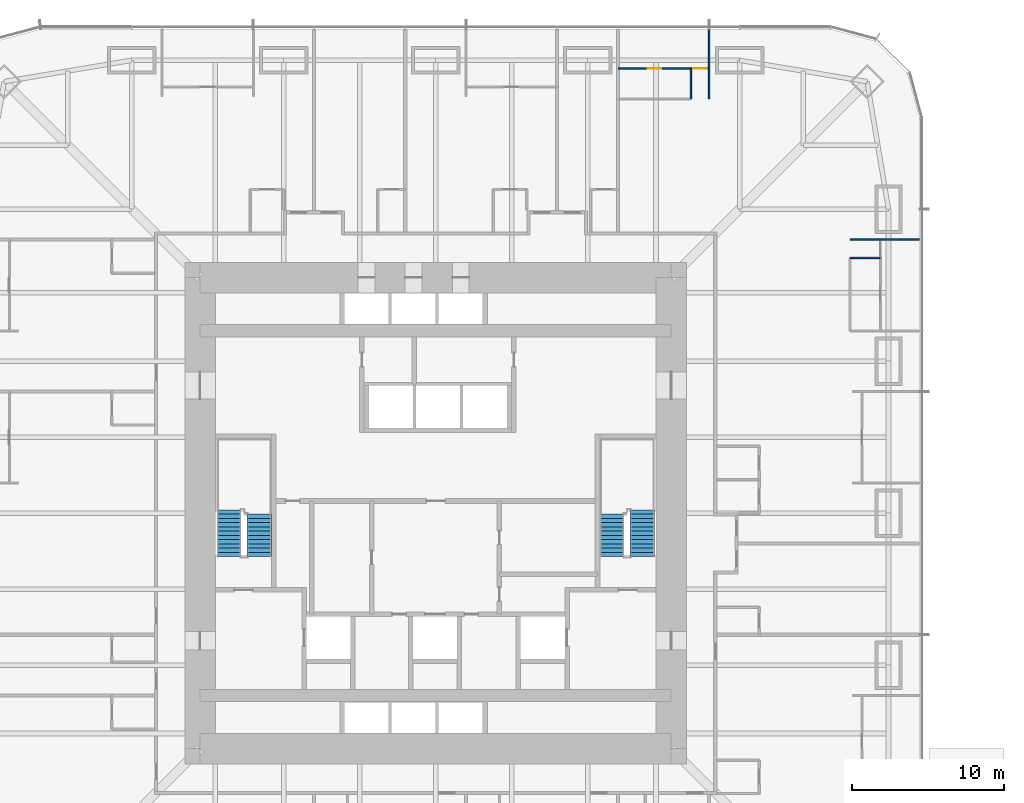
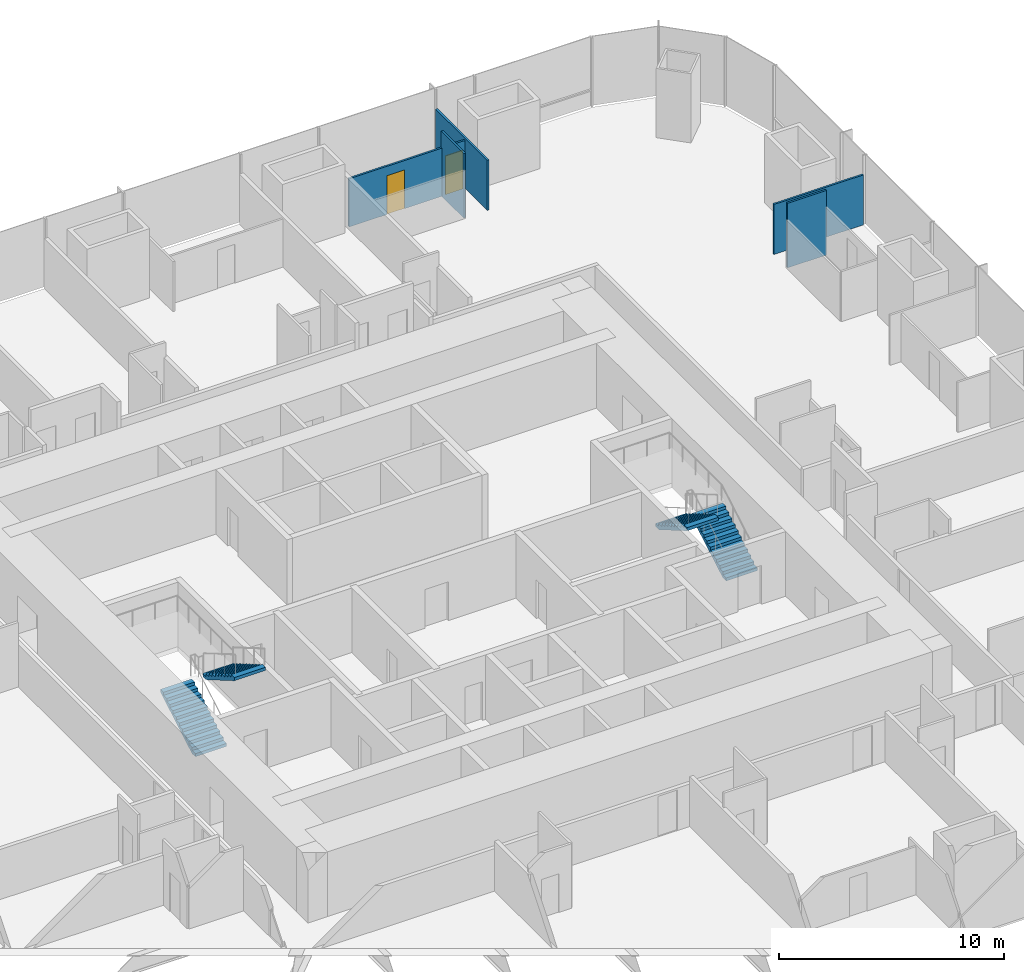
# One storey, part 19 of 20: 5 walls, 4 stair flights, 2 doors, 2 openings, 2 elements without a shape of their own.
"""IFC4 building model written with IfcOpenShell, lengths in metres."""

from ifc_helpers import new_model, si_unit, direction, frame, frame_2d, origin, place, context, subcontext, project, spatial, polyline, rectangle, outline, extrude, material, layer, layer_set, type_object, element, fill, aggregate, save


model = new_model("IFC4")

# Units and contexts
model_context = context("Model", 3, precision=1e-05, world=origin(), true_north=direction((0.0, 1.0)))
body_context = subcontext(model_context, "Body", "Model", "MODEL_VIEW")
ifc_project = project(units=[si_unit("LENGTHUNIT", "METRE"), si_unit("AREAUNIT", "SQUARE_METRE"), si_unit("VOLUMEUNIT", "CUBIC_METRE"), si_unit("PLANEANGLEUNIT", "RADIAN"), si_unit("MASSUNIT", "GRAM", prefix="KILO")], contexts=[model_context])

# Site, building, storey
site_placement = place(None, origin())
site = spatial("IfcSite", under=ifc_project, at=site_placement, CompositionType="ELEMENT")
building_placement = place(site_placement, origin())
building = spatial("IfcBuilding", under=site, at=building_placement, Name="Khuree Lantern Residences", CompositionType="ELEMENT")
storey_placement = place(building_placement, frame((0.0, 0.0, 24.75)))
storey = spatial("IfcBuildingStorey", under=building, at=storey_placement, Name="L05", CompositionType="ELEMENT", Elevation=24.75)

# Walls
ifc_material_1 = material(Name="Gypsum board on steel studs", Category="steel")
ifc_layer = layer(ifc_material_1, 0.10009765625)
ifc_layer_set = layer_set([ifc_layer], Name="PARTITION PT100")
wall_type = type_object("IfcWallType", Name="PARTITION PT100", PredefinedType="PARTITIONING", material=ifc_layer_set)
for number, where, z_axis, x_axis, name in (
    (1, (27.2666015625, 18.0, 0.0), (0.0, 0.0, 1.0), (1.0, 0.0, 0.0), "L05 PARTITION 02"),
    (2, (18.0, 27.2666015625, 0.0), (0.0, 0.0, 1.0), (0.0, 1.0, 0.0), "L05 PARTITION 02"),
):
    element("IfcWall", number, at=place(storey_placement, frame(where, z_axis=z_axis, x_axis=x_axis)), inside=storey, type_object=wall_type, Name=name, PredefinedType="PARTITIONING", context=body_context, shape_type="SweptSolid", body=[
        extrude(rectangle(XDim=4.58349609375, YDim=0.10009765625, at=frame_2d((2.291748046875, 0.0))), origin(), (0.0, 0.0, 1.0), 2.7099609375),
    ])
wall_1_placement = place(storey_placement, frame((27.2666015625, 16.800048828125, 0.0), z_axis=(0.0, 0.0, 1.0), x_axis=(1.0, 0.0, 0.0)))
element("IfcWall", 3, at=wall_1_placement, inside=storey, type_object=wall_type, Name="L05 PARTITION 02", PredefinedType="PARTITIONING", context=body_context, shape_type="SweptSolid", body=[
    extrude(rectangle(XDim=2.0, YDim=0.10009765625, at=frame_2d((1.0, 0.0))), origin(), (0.0, 0.0, 1.0), 3.5),
])

# Wall, openings, doors
wall_2_placement = place(storey_placement, frame((18.0, 29.2666015625, 0.0), z_axis=(0.0, 0.0, 1.0), x_axis=(-1.0, 0.0, 0.0)))
wall_2 = element("IfcWall", 4, at=wall_2_placement, inside=storey, type_object=wall_type, Name="L05 PARTITION 02", PredefinedType="PARTITIONING", context=body_context, shape_type="SweptSolid", body=[
    extrude(rectangle(XDim=6.0, YDim=0.10009765625, at=frame_2d((3.0, 0.0))), origin(), (0.0, 0.0, 1.0), 2.610107421875),
])
opening_1_placement = place(wall_2_placement, frame((0.14990234375, 0.0, 0.0)))
opening_1 = element("IfcOpeningElement", 5, at=opening_1_placement, cuts=wall_2, Name="Opening 05-027", PredefinedType="OPENING", context=body_context, shape_type="SweptSolid", body=[
    extrude(rectangle(XDim=0.89990234375, YDim=2.10009765625, at=frame_2d((0.449951171875, 1.050048828125))), frame((0.0, 0.06005859375, 0.0), z_axis=(0.0, -1.0, 0.0), x_axis=(1.0, 0.0, 0.0)), (0.0, 0.0, 1.0), 0.1201171875),
])
opening_2_placement = place(wall_2_placement, frame((3.14990234375, 0.0, 0.0)))
opening_2 = element("IfcOpeningElement", 6, at=opening_2_placement, cuts=wall_2, Name="Opening 05-028", PredefinedType="OPENING", context=body_context, shape_type="SweptSolid", body=[
    extrude(rectangle(XDim=0.89990234375, YDim=2.10009765625, at=frame_2d((0.449951171875, 1.050048828125))), frame((0.0, 0.06005859375, 0.0), z_axis=(0.0, -1.0, 0.0), x_axis=(1.0, 0.0, 0.0)), (0.0, 0.0, 1.0), 0.1201171875),
])
ifc_material_2 = material(Name="Timber door leaf in hardwood frame", Category="wood")
door_type_1 = type_object("IfcDoorType", Name="BEDROOM DOOR 900X2100", OperationType="SINGLE_SWING_LEFT", PredefinedType="DOOR", material=ifc_material_2)
door_1_placement = place(opening_1_placement, origin())
door_1 = element("IfcDoor", 7, at=door_1_placement, inside=storey, type_object=door_type_1, Name="Bedroom door 05-027", OperationType="SINGLE_SWING_LEFT", OverallHeight=2.10009765625, OverallWidth=0.89990234375, PredefinedType="DOOR", context=body_context, shape_type="SweptSolid", body=[
    extrude(rectangle(XDim=0.89990234375, YDim=2.10009765625, at=frame_2d((0.449951171875, 1.050048828125))), frame((0.0, 0.02490234375, 0.0), z_axis=(0.0, -1.0, 0.0), x_axis=(1.0, 0.0, 0.0)), (0.0, 0.0, 1.0), 0.050048828125),
])
fill(opening_1, door_1)
door_type_2 = type_object("IfcDoorType", Name="DOOR 900X2100", OperationType="SINGLE_SWING_LEFT", PredefinedType="DOOR", material=ifc_material_2)
door_2_placement = place(opening_2_placement, origin())
door_2 = element("IfcDoor", 8, at=door_2_placement, inside=storey, type_object=door_type_2, Name="Wardrobe door 05-028", OperationType="SINGLE_SWING_LEFT", OverallHeight=2.10009765625, OverallWidth=0.89990234375, PredefinedType="DOOR", context=body_context, shape_type="SweptSolid", body=[
    extrude(rectangle(XDim=0.89990234375, YDim=2.10009765625, at=frame_2d((0.449951171875, 1.050048828125))), frame((0.0, 0.02490234375, 0.0), z_axis=(0.0, -1.0, 0.0), x_axis=(1.0, 0.0, 0.0)), (0.0, 0.0, 1.0), 0.050048828125),
])
fill(opening_2, door_2)

# Wall
wall_3_placement = place(storey_placement, frame((16.800048828125, 27.2666015625, 0.0), z_axis=(0.0, 0.0, 1.0), x_axis=(0.0, 1.0, 0.0)))
element("IfcWall", 9, at=wall_3_placement, inside=storey, type_object=wall_type, Name="L05 PARTITION 02", PredefinedType="PARTITIONING", context=body_context, shape_type="SweptSolid", body=[
    extrude(rectangle(XDim=2.0, YDim=0.10009765625, at=frame_2d((1.0, 0.0))), origin(), (0.0, 0.0, 1.0), 3.5),
])

# Stair, stair flights
ifc_material_3 = material(Name="Concrete C40/50", Category="concrete")
stair_type = type_object("IfcStairType", Name="STAIR ST1 HALF TURN 3600", PredefinedType="HALF_TURN_STAIR", material=ifc_material_3)
stair_1_placement = place(storey_placement, origin())
stair_1 = element("IfcStair", 10, at=stair_1_placement, inside=storey, type_object=stair_type, Name="Stair ST1", PredefinedType="HALF_TURN_STAIR")
stair_flight_type = type_object("IfcStairFlightType", Name="STAIR FLIGHT SF1 1600", PredefinedType="STRAIGHT", material=ifc_material_3)
stair_flight_1_placement = place(storey_placement, frame((-13.60009765625, -2.860107421875, 0.0), z_axis=(0.0, 0.0, 1.0), x_axis=(0.0, 1.0, 0.0)))
stair_flight_1 = element("IfcStairFlight", 11, at=stair_flight_1_placement, type_object=stair_flight_type, Name="ST1 flight 1", NumberOfRisers=12, NumberOfTreads=11, PredefinedType="STRAIGHT", RiserHeight=0.163043478, TreadLength=0.28, context=body_context, shape_type="SweptSolid", body=[
    extrude(outline(polyline([(0.0, 0.0), (0.0, 0.1630859375), (0.280029296875, 0.1630859375), (0.280029296875, 0.326171875), (0.56005859375, 0.326171875), (0.56005859375, 0.489013671875), (0.840087890625, 0.489013671875), (0.840087890625, 0.652099609375), (1.1201171875, 0.652099609375), (1.1201171875, 0.815185546875), (1.39990234375, 0.815185546875), (1.39990234375, 0.978271484375), (1.679931640625, 0.978271484375), (1.679931640625, 1.141357421875), (1.9599609375, 1.141357421875), (1.9599609375, 1.304443359375), (2.239990234375, 1.304443359375), (2.239990234375, 1.46728515625), (2.52001953125, 1.46728515625), (2.52001953125, 1.63037109375), (2.800048828125, 1.63037109375), (2.800048828125, 1.79345703125), (3.080078125, 1.79345703125), (3.080078125, 1.95654296875), (3.080078125, 1.6201171875), (0.2978515625, 0.0), (0.0, 0.0)])), frame((0.0, 0.800048828125, 0.0), z_axis=(0.0, -1.0, 0.0), x_axis=(1.0, 0.0, 0.0)), (0.0, 0.0, 1.0), 1.60009765625),
])
stair_flight_2_placement = place(storey_placement, frame((-11.60009765625, -0.06005859375, 1.95654296875), z_axis=(0.0, 0.0, 1.0), x_axis=(0.0, -1.0, 0.0)))
stair_flight_2 = element("IfcStairFlight", 12, at=stair_flight_2_placement, type_object=stair_flight_type, Name="ST1 flight 2", NumberOfRisers=11, NumberOfTreads=10, PredefinedType="STRAIGHT", RiserHeight=0.163043478, TreadLength=0.28, context=body_context, shape_type="SweptSolid", body=[
    extrude(outline(polyline([(0.0, 0.0), (0.0, 0.1630859375), (0.280029296875, 0.1630859375), (0.280029296875, 0.326171875), (0.56005859375, 0.326171875), (0.56005859375, 0.489013671875), (0.840087890625, 0.489013671875), (0.840087890625, 0.652099609375), (1.1201171875, 0.652099609375), (1.1201171875, 0.815185546875), (1.39990234375, 0.815185546875), (1.39990234375, 0.978271484375), (1.679931640625, 0.978271484375), (1.679931640625, 1.141357421875), (1.9599609375, 1.141357421875), (1.9599609375, 1.304443359375), (2.239990234375, 1.304443359375), (2.239990234375, 1.46728515625), (2.52001953125, 1.46728515625), (2.52001953125, 1.63037109375), (2.800048828125, 1.63037109375), (2.800048828125, 1.79345703125), (2.800048828125, 1.45703125), (0.2978515625, 0.0), (0.0, 0.0)])), frame((0.0, 0.800048828125, 0.0), z_axis=(0.0, -1.0, 0.0), x_axis=(1.0, 0.0, 0.0)), (0.0, 0.0, 1.0), 1.60009765625),
])
aggregate(stair_1, [stair_flight_1, stair_flight_2])

stair_2_placement = place(storey_placement, origin())
stair_2 = element("IfcStair", 13, at=stair_2_placement, inside=storey, type_object=stair_type, Name="Stair ST2", PredefinedType="HALF_TURN_STAIR")
stair_flight_3_placement = place(storey_placement, frame((13.60009765625, -2.860107421875, 0.0), z_axis=(0.0, 0.0, 1.0), x_axis=(0.0, 1.0, 0.0)))
stair_flight_3 = element("IfcStairFlight", 14, at=stair_flight_3_placement, type_object=stair_flight_type, Name="ST2 flight 1", NumberOfRisers=12, NumberOfTreads=11, PredefinedType="STRAIGHT", RiserHeight=0.163043478, TreadLength=0.28, context=body_context, shape_type="SweptSolid", body=[
    extrude(outline(polyline([(0.0, 0.0), (0.0, 0.1630859375), (0.280029296875, 0.1630859375), (0.280029296875, 0.326171875), (0.56005859375, 0.326171875), (0.56005859375, 0.489013671875), (0.840087890625, 0.489013671875), (0.840087890625, 0.652099609375), (1.1201171875, 0.652099609375), (1.1201171875, 0.815185546875), (1.39990234375, 0.815185546875), (1.39990234375, 0.978271484375), (1.679931640625, 0.978271484375), (1.679931640625, 1.141357421875), (1.9599609375, 1.141357421875), (1.9599609375, 1.304443359375), (2.239990234375, 1.304443359375), (2.239990234375, 1.46728515625), (2.52001953125, 1.46728515625), (2.52001953125, 1.63037109375), (2.800048828125, 1.63037109375), (2.800048828125, 1.79345703125), (3.080078125, 1.79345703125), (3.080078125, 1.95654296875), (3.080078125, 1.6201171875), (0.2978515625, 0.0), (0.0, 0.0)])), frame((0.0, 0.800048828125, 0.0), z_axis=(0.0, -1.0, 0.0), x_axis=(1.0, 0.0, 0.0)), (0.0, 0.0, 1.0), 1.60009765625),
])
stair_flight_4_placement = place(storey_placement, frame((11.60009765625, -0.06005859375, 1.95654296875), z_axis=(0.0, 0.0, 1.0), x_axis=(0.0, -1.0, 0.0)))
stair_flight_4 = element("IfcStairFlight", 15, at=stair_flight_4_placement, type_object=stair_flight_type, Name="ST2 flight 2", NumberOfRisers=11, NumberOfTreads=10, PredefinedType="STRAIGHT", RiserHeight=0.163043478, TreadLength=0.28, context=body_context, shape_type="SweptSolid", body=[
    extrude(outline(polyline([(0.0, 0.0), (0.0, 0.1630859375), (0.280029296875, 0.1630859375), (0.280029296875, 0.326171875), (0.56005859375, 0.326171875), (0.56005859375, 0.489013671875), (0.840087890625, 0.489013671875), (0.840087890625, 0.652099609375), (1.1201171875, 0.652099609375), (1.1201171875, 0.815185546875), (1.39990234375, 0.815185546875), (1.39990234375, 0.978271484375), (1.679931640625, 0.978271484375), (1.679931640625, 1.141357421875), (1.9599609375, 1.141357421875), (1.9599609375, 1.304443359375), (2.239990234375, 1.304443359375), (2.239990234375, 1.46728515625), (2.52001953125, 1.46728515625), (2.52001953125, 1.63037109375), (2.800048828125, 1.63037109375), (2.800048828125, 1.79345703125), (2.800048828125, 1.45703125), (0.2978515625, 0.0), (0.0, 0.0)])), frame((0.0, 0.800048828125, 0.0), z_axis=(0.0, -1.0, 0.0), x_axis=(1.0, 0.0, 0.0)), (0.0, 0.0, 1.0), 1.60009765625),
])
aggregate(stair_2, [stair_flight_3, stair_flight_4])

save(model, "model.ifc")
